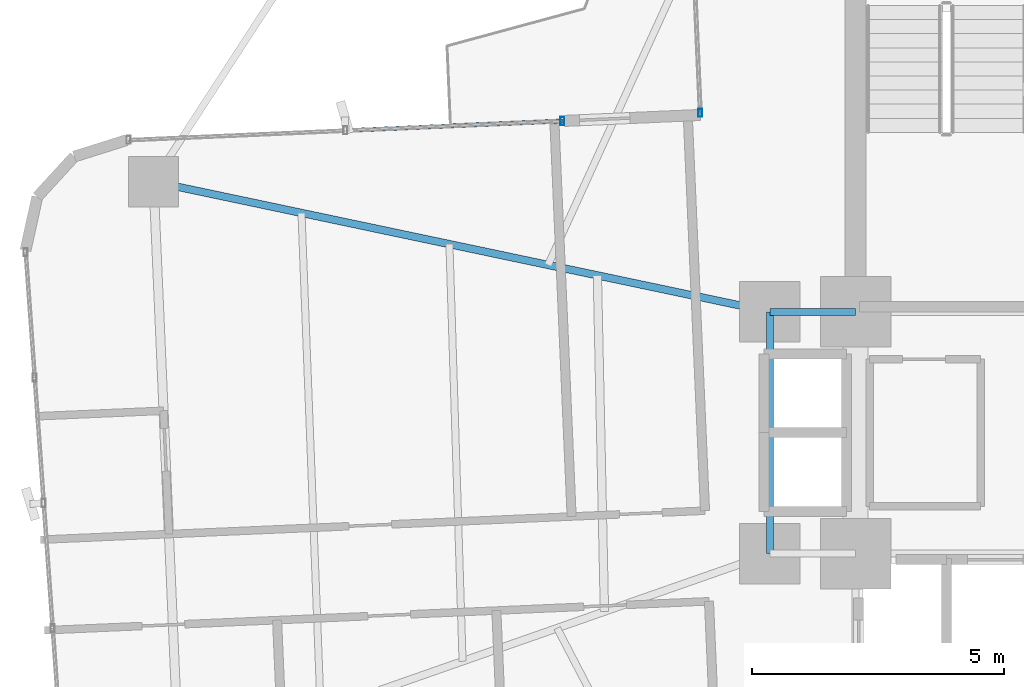
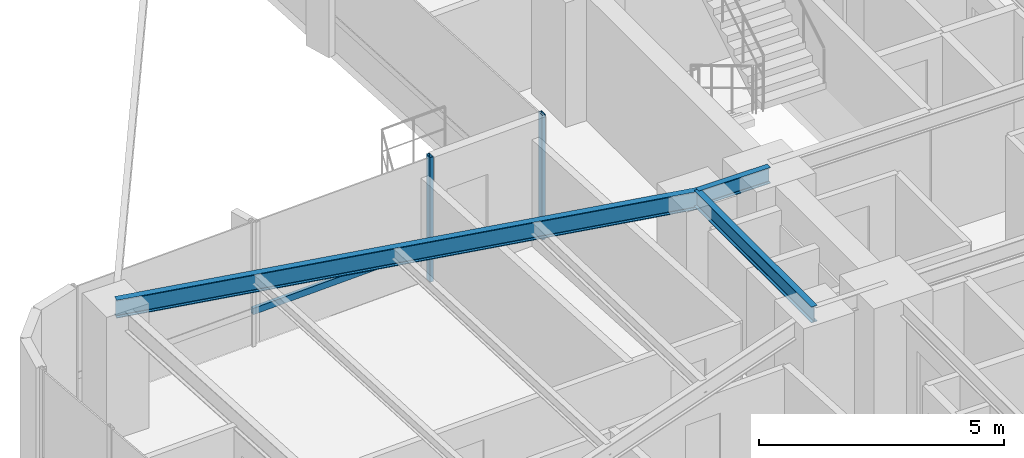
# One storey, part 10 of 27: 3 beams, 3 members, 2 elements without a shape of their own.
"""IFC4 building model written with IfcOpenShell, lengths in metres."""

from ifc_helpers import new_model, si_unit, direction, frame, origin, origin_2d, place, context, subcontext, project, spatial, hollow_rectangle, i_section, extrude, source, transform, mapped, material, material_profile, profile_set, type_object, element, aggregate, save


model = new_model("IFC4")

# Units and contexts
model_context = context("Model", 3, precision=1e-05, world=origin(), true_north=direction((0.0, 1.0)))
body_context = subcontext(model_context, "Body", "Model", "MODEL_VIEW")
ifc_project = project(units=[si_unit("LENGTHUNIT", "METRE"), si_unit("AREAUNIT", "SQUARE_METRE"), si_unit("VOLUMEUNIT", "CUBIC_METRE"), si_unit("PLANEANGLEUNIT", "RADIAN"), si_unit("MASSUNIT", "GRAM", prefix="KILO")], contexts=[model_context])

# Site, building, storey
site_placement = place(None, origin())
site = spatial("IfcSite", under=ifc_project, at=site_placement, CompositionType="ELEMENT")
building_placement = place(site_placement, origin())
building = spatial("IfcBuilding", under=site, at=building_placement, Name="Sahyath Konkavel Grand Hotel", CompositionType="ELEMENT")
storey_placement = place(building_placement, frame((0.0, 0.0, 90.199951171875)))
storey = spatial("IfcBuildingStorey", under=building, at=storey_placement, Name="L24", CompositionType="ELEMENT", Elevation=90.199951171875)

# Beams
ifc_material_1 = material(Name="Steel E350", Category="steel")
ifc_material_profile_1 = material_profile(ifc_material_1, i_section(OverallWidth=0.139892578125, OverallDepth=0.39990234375, WebThickness=0.0087890625, FlangeThickness=0.01611328125, FilletRadius=0.013916015625, at=origin_2d()), Name="ISMB 400")
ifc_profile_set_1 = profile_set([ifc_material_profile_1], Name="Steel E350")
beam_type_1 = type_object("IfcBeamType", Name="BM-ISMB400", PredefinedType="BEAM", material=ifc_profile_set_1)
shared_shape_1 = source(origin(), body_context, "Body", "SweptSolid", [
    extrude(i_section(OverallWidth=0.139892578125, OverallDepth=0.39990234375, WebThickness=0.0087890625, FlangeThickness=0.01611328125, FilletRadius=0.013916015625, at=origin_2d()), origin(), (0.0, 0.0, 1.0), 1.699951171875),
])
beam_1_placement = place(storey_placement, frame((-5.5, 2.39990234375, 2.91015625), z_axis=(1.0, 0.0, 0.0), x_axis=(0.0, 1.0, 0.0)))
element("IfcBeam", 1, at=beam_1_placement, inside=storey, type_object=beam_type_1, Name="str:bm:L24:HB-NW", PredefinedType="BEAM", context=body_context, shape_type="MappedRepresentation", body=[
    mapped(shared_shape_1, transform((0.0, 0.0, 0.0), scale=1.0)),
])
shared_shape_2 = source(origin(), body_context, "Body", "SweptSolid", [
    extrude(i_section(OverallWidth=0.139892578125, OverallDepth=0.39990234375, WebThickness=0.0087890625, FlangeThickness=0.01611328125, FilletRadius=0.013916015625, at=origin_2d()), origin(), (0.0, 0.0, 1.0), 4.7998046875),
])
beam_2_placement = place(storey_placement, frame((-5.5, -2.39990234375, 2.91015625), z_axis=(0.0, 1.0, 0.0), x_axis=(-1.0, 0.0, 0.0)))
element("IfcBeam", 2, at=beam_2_placement, inside=storey, type_object=beam_type_1, Name="str:bm:L24:HB-W", PredefinedType="BEAM", context=body_context, shape_type="MappedRepresentation", body=[
    mapped(shared_shape_2, transform((0.0, 0.0, 0.0), scale=1.0)),
])
ifc_material_profile_2 = material_profile(ifc_material_1, i_section(OverallWidth=0.14990234375, OverallDepth=0.449951171875, WebThickness=0.009521484375, FlangeThickness=0.017333984375, FilletRadius=0.014892578125, at=origin_2d()), Name="ISMB 450")
ifc_profile_set_2 = profile_set([ifc_material_profile_2], Name="Steel E350")
beam_type_2 = type_object("IfcBeamType", Name="BM-ISMB450", PredefinedType="BEAM", material=ifc_profile_set_2)
shared_shape_3 = source(origin(), body_context, "Body", "SweptSolid", [
    extrude(i_section(OverallWidth=0.14990234375, OverallDepth=0.449951171875, WebThickness=0.009521484375, FlangeThickness=0.017333984375, FilletRadius=0.014892578125, at=origin_2d()), origin(), (0.0, 0.0, 1.0), 12.50341796875),
])
beam_3_placement = place(storey_placement, frame((-5.5, 2.39990234375, 2.885009765625), z_axis=(-0.978457911392, 0.206446398937, 0.0), x_axis=(-0.206446398937, -0.978457911392, 0.0)))
element("IfcBeam", 3, at=beam_3_placement, inside=storey, type_object=beam_type_2, Name="L24 Cruciform Radial Girder WA", PredefinedType="BEAM", context=body_context, shape_type="MappedRepresentation", body=[
    mapped(shared_shape_3, transform((0.0, 0.0, 0.0), scale=1.0)),
])

# Curtain wall, member
ifc_material_2 = material(Name="Anodised Bronze Aluminium & Low-E Glazing", Category="aluminium")
curtain_wall_type = type_object("IfcCurtainWallType", Name="CW-ZONE2", PredefinedType="NOTDEFINED", material=ifc_material_2)
curtain_wall_1_placement = place(storey_placement, origin())
curtain_wall_1 = element("IfcCurtainWall", 4, at=curtain_wall_1_placement, inside=storey, type_object=curtain_wall_type, Name="L24 Unitised Curtain Wall F15", PredefinedType="NOTDEFINED")
ifc_material_3 = material(Name="Anodised Bronze Aluminium", Category="aluminium")
ifc_material_profile_3 = material_profile(ifc_material_3, hollow_rectangle(XDim=0.080078125, YDim=0.159912109375, WallThickness=0.006103515625, at=origin_2d()), Name="RHS 160x80x6")
ifc_profile_set_3 = profile_set([ifc_material_profile_3], Name="Anodised Bronze Aluminium")
member_type_1 = type_object("IfcMemberType", Name="CW-MUL-160", PredefinedType="MULLION", material=ifc_profile_set_3)
shared_shape_4 = source(origin(), body_context, "Body", "SweptSolid", [
    extrude(hollow_rectangle(XDim=0.080078125, YDim=0.159912109375, WallThickness=0.006103515625, at=origin_2d()), origin(), (0.0, 0.0, 1.0), 3.110107421875),
])
member_1_placement = place(storey_placement, frame((-6.88330078125, 6.345703125, 0.0), z_axis=(0.0, 0.0, 1.0), x_axis=(1.0, 0.0, 0.0)))
member_1 = element("IfcMember", 5, at=member_1_placement, type_object=member_type_1, Name="L24 Curtain Wall Mullion F15-2", PredefinedType="MULLION", context=body_context, shape_type="MappedRepresentation", body=[
    mapped(shared_shape_4, transform((0.0, 0.0, 0.0), scale=1.0)),
])
aggregate(curtain_wall_1, [member_1])

# Curtain wall, members
curtain_wall_2_placement = place(storey_placement, origin())
curtain_wall_2 = element("IfcCurtainWall", 6, at=curtain_wall_2_placement, inside=storey, type_object=curtain_wall_type, Name="L24 Unitised Curtain Wall F16", PredefinedType="NOTDEFINED")
member_2_placement = place(storey_placement, frame((-9.618896484375, 6.186279296875, 0.0), z_axis=(0.0, 0.0, 1.0), x_axis=(1.0, 0.0, 0.0)))
member_2 = element("IfcMember", 7, at=member_2_placement, type_object=member_type_1, Name="L24 Curtain Wall Mullion F16-0", PredefinedType="MULLION", context=body_context, shape_type="MappedRepresentation", body=[
    mapped(shared_shape_4, transform((0.0, 0.0, 0.0), scale=1.0)),
])
ifc_material_profile_4 = material_profile(ifc_material_3, hollow_rectangle(XDim=0.080078125, YDim=0.159912109375, WallThickness=0.006103515625, at=origin_2d()), Name="RHS 160x80x6")
ifc_profile_set_4 = profile_set([ifc_material_profile_4], Name="Anodised Bronze Aluminium")
member_type_2 = type_object("IfcMemberType", Name="CW-TRN-160", PredefinedType="USERDEFINED", material=ifc_profile_set_4)
shared_shape_5 = source(origin(), body_context, "Body", "SweptSolid", [
    extrude(hollow_rectangle(XDim=0.080078125, YDim=0.159912109375, WallThickness=0.006103515625, at=origin_2d()), origin(), (0.0, 0.0, 1.0), 4.31005859375),
])
member_3_placement = place(storey_placement, frame((-9.618896484375, 6.186279296875, 0.85009765625), z_axis=(-0.999048340188, -0.043616670746, 0.0), x_axis=(0.043616670746, -0.999048340188, 0.0)))
member_3 = element("IfcMember", 8, at=member_3_placement, type_object=member_type_2, Name="L24 Curtain Wall Transom F16-0-spandrel", ObjectType="TRANSOM", PredefinedType="USERDEFINED", context=body_context, shape_type="MappedRepresentation", body=[
    mapped(shared_shape_5, transform((0.0, 0.0, 0.0), scale=1.0)),
])
aggregate(curtain_wall_2, [member_2, member_3])

save(model, "model.ifc")
